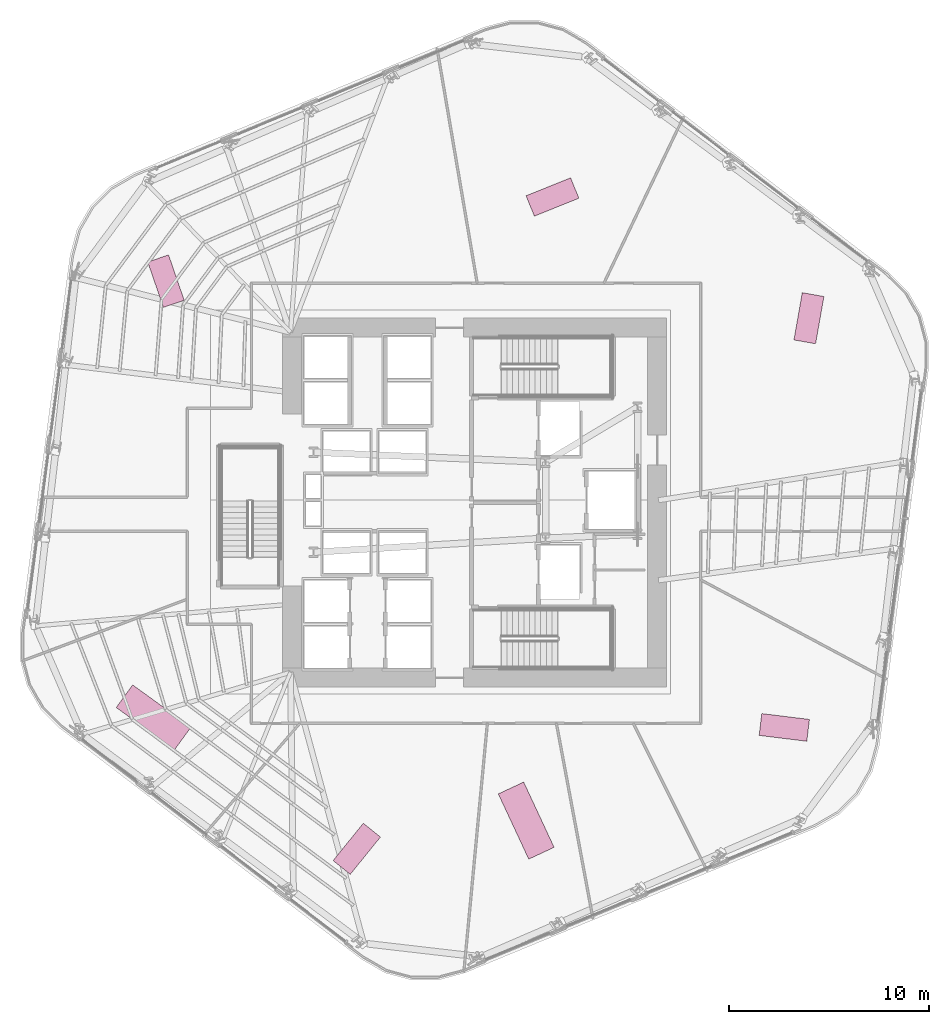
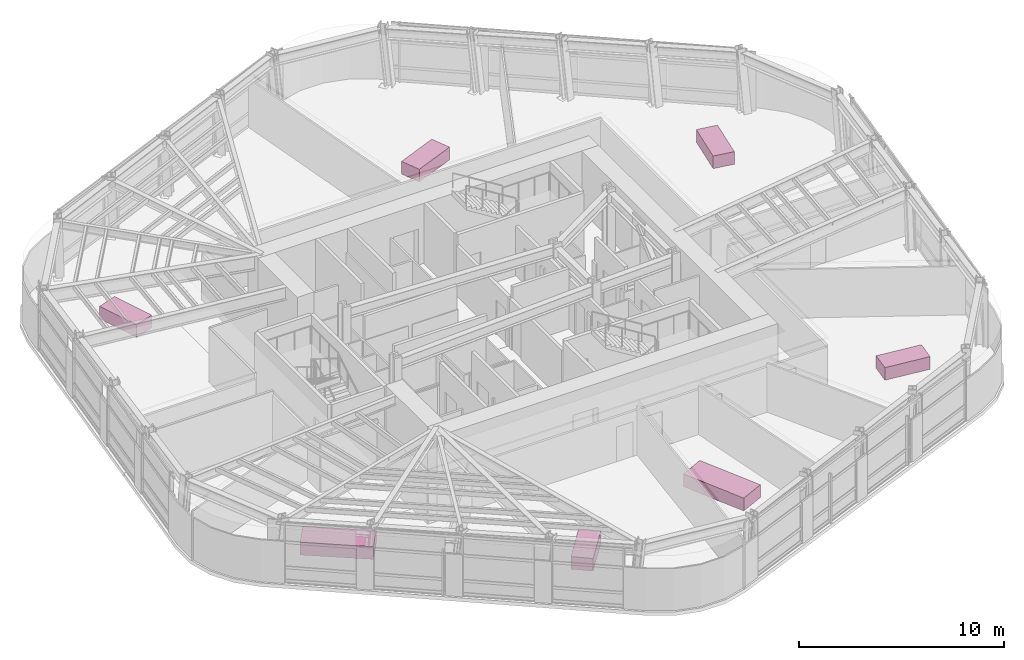
# One storey, part 18 of 18: 7 furniture elements.
"""IFC4 building model written with IfcOpenShell, lengths in metres."""

import ifcopenshell
import ifcopenshell.guid

model = None  # the IFC model being written
_history = None  # IfcOwnerHistory: only IFC2X3 demands one
_inside = {}  # id of a spatial element -> (the spatial element, [elements in it])
_under = {}  # id of a project, library or spatial element -> (it, [spatial elements below it])
_declared = {}  # id of a project -> (the project, [libraries it declares])
_typed = {}  # id of a type object -> (the type object, [elements of that type])
_made_of = {}  # id of a material, layer set ... -> (it, [elements and type objects made of it])


def new_model(schema):
    """Start an empty IFC model of exactly this schema.

    Asked for "IFC4X3", IfcOpenShell would pick the latest addendum, in which some entities
    have other attributes; the version numbers below select the first issue.
    IFC2X3 requires an IfcOwnerHistory on every rooted entity: one is made here for all.
    """
    global model, _history
    if schema == "IFC4X3":
        model = ifcopenshell.file(schema_version=(4, 3, 0, 0))
    else:
        model = ifcopenshell.file(schema=schema)
    _inside.clear()
    _under.clear()
    _declared.clear()
    _typed.clear()
    _made_of.clear()
    _history = None
    if model.schema == "IFC2X3":
        org = make("IfcOrganization", Name="unknown")
        user = make(
            "IfcPersonAndOrganization",
            ThePerson=make("IfcPerson", FamilyName="unknown"),
            TheOrganization=org,
        )
        app = make(
            "IfcApplication",
            ApplicationDeveloper=org,
            Version="unknown",
            ApplicationFullName="unknown",
            ApplicationIdentifier="unknown",
        )
        _history = make(
            "IfcOwnerHistory",
            OwningUser=user,
            OwningApplication=app,
            ChangeAction="ADDED",
            CreationDate=0,
        )
    return model


def make(cls, **values):
    """One entity of the class cls with the attributes given. An attribute that is None is left unset."""
    return model.create_entity(
        cls, **{name: value for name, value in values.items() if value is not None}
    )


def rooted(cls, **values):
    """An entity with a GlobalId (a new one), such as an element, a storey or a relation."""
    return make(cls, GlobalId=ifcopenshell.guid.new(), OwnerHistory=_history, **values)


def si_unit(unit_type, name, prefix=None):
    """IfcSIUnit, for example si_unit("LENGTHUNIT", "METRE", prefix="MILLI")."""
    return make("IfcSIUnit", UnitType=unit_type, Prefix=prefix, Name=name)


def assignment(units):
    """IfcUnitAssignment: the units of a project."""
    return None if units is None else make("IfcUnitAssignment", Units=units)


def point(xyz):
    """IfcCartesianPoint."""
    return None if xyz is None else make("IfcCartesianPoint", Coordinates=xyz)


def direction(xyz):
    """IfcDirection."""
    return None if xyz is None else make("IfcDirection", DirectionRatios=xyz)


def frame(location, z_axis=None, x_axis=None):
    """IfcAxis2Placement3D, a coordinate frame: its origin and axes. An axis left out is left unset."""
    return make(
        "IfcAxis2Placement3D",
        Location=point(location),
        Axis=direction(z_axis),
        RefDirection=direction(x_axis),
    )


def frame_2d(location, x_axis=None):
    """IfcAxis2Placement2D, a coordinate frame in the plane: its origin and x axis."""
    return make(
        "IfcAxis2Placement2D", Location=point(location), RefDirection=direction(x_axis)
    )


def origin():
    """The frame at (0, 0, 0) with its axes left unset."""
    return frame((0.0, 0.0, 0.0))


def origin_2d():
    """The frame at (0, 0) in the plane with its x axis left unset."""
    return frame_2d((0.0, 0.0))


def place(relative_to, where):
    """IfcLocalPlacement: puts the frame where relative to a parent placement (None: the world)."""
    return make(
        "IfcLocalPlacement", PlacementRelTo=relative_to, RelativePlacement=where
    )


def context(
    kind, dimensions, precision=None, world=None, true_north=None, identifier=None
):
    """IfcGeometricRepresentationContext, for example the 3D "Model" context."""
    return make(
        "IfcGeometricRepresentationContext",
        ContextIdentifier=identifier,
        ContextType=kind,
        CoordinateSpaceDimension=dimensions,
        Precision=precision,
        WorldCoordinateSystem=world,
        TrueNorth=true_north,
    )


def subcontext(parent, identifier, kind, view, scale=None):
    """IfcGeometricRepresentationSubContext, for example "Body" below "Model"."""
    return make(
        "IfcGeometricRepresentationSubContext",
        ContextIdentifier=identifier,
        ContextType=kind,
        ParentContext=parent,
        TargetScale=scale,
        TargetView=view,
    )


def project(units=None, contexts=None):
    """IfcProject with its units and contexts."""
    return rooted(
        "IfcProject",
        Name="project",
        RepresentationContexts=contexts,
        UnitsInContext=assignment(units),
    )


def spatial(cls, under=None, at=None, **own):
    """A site, building, storey or space (cls), placed at a placement, below another one or the project."""
    s = rooted(cls, ObjectPlacement=at, **own)
    if under is not None:
        _under.setdefault(under.id(), (under, []))[1].append(s)
    return s


def profile(cls, at=None, kind="AREA", **sizes):
    """A parametric profile (cls). Its sizes go by their IFC names, for example OverallWidth=200.0."""
    return make(cls, ProfileType=kind, Position=at, **sizes)


def rectangle(**sizes):
    """IfcRectangleProfileDef."""
    return profile("IfcRectangleProfileDef", **sizes)


def extrude(swept, where, along, depth):
    """IfcExtrudedAreaSolid: the profile swept, set in the frame where, extruded along a direction by depth."""
    return make(
        "IfcExtrudedAreaSolid",
        SweptArea=swept,
        Position=where,
        ExtrudedDirection=direction(along),
        Depth=depth,
    )


def shape(context_of_items, identifier, shape_type, items):
    """IfcShapeRepresentation: the items that make up one representation, for example the "Body"."""
    return make(
        "IfcShapeRepresentation",
        ContextOfItems=context_of_items,
        RepresentationIdentifier=identifier,
        RepresentationType=shape_type,
        Items=items,
    )


def material(Name=None, Category=None):
    """IfcMaterial."""
    return make("IfcMaterial", Name=Name, Category=Category)


def made_of(thing, what):
    """Note that an element or type object is made of a material, layer set ...; save() writes the relation."""
    if what is not None:
        _made_of.setdefault(what.id(), (what, []))[1].append(thing)
    return thing


def type_object(cls, material=None, **own):
    """A type object (cls), such as IfcWallType, which elements share."""
    return made_of(rooted(cls, **own), material)


def element(
    cls,
    number,
    at=None,
    inside=None,
    cuts=None,
    type_object=None,
    material=None,
    context=None,
    identifier="Body",
    shape_type=None,
    held_by="IfcProductDefinitionShape",
    body=None,
    shapes=None,
    **own,
):
    """One element of the class cls, such as IfcWall. Its Tag is "e" and its number.

    at: its placement. inside: the storey or other place that contains it. cuts: it is an
    opening in that element (IfcRelVoidsElement). A single representation is given by context,
    identifier, shape_type and body (its items); several are given by shapes. held_by: the class
    of the entity that holds the representations. save() writes the other relations.
    """
    e = rooted(cls, Tag="e%d" % number, ObjectPlacement=at, **own)
    if body is not None:
        shapes = [shape(context, identifier, shape_type, body)]
    if shapes is not None:
        e.Representation = make(held_by, Representations=shapes)
    if inside is not None:
        _inside.setdefault(inside.id(), (inside, []))[1].append(e)
    if cuts is not None:
        rooted(
            "IfcRelVoidsElement", RelatingBuildingElement=cuts, RelatedOpeningElement=e
        )
    if type_object is not None:
        _typed.setdefault(type_object.id(), (type_object, []))[1].append(e)
    return made_of(e, material)


def aggregate(whole, parts):
    """IfcRelAggregates: a whole, such as a stair, and the parts it consists of."""
    return rooted("IfcRelAggregates", RelatingObject=whole, RelatedObjects=parts)


def save(model, path):
    """Write the relations noted so far, then the file.

    IfcRelAggregates (storeys below a building ...), IfcRelContainedInSpatialStructure (elements
    in a storey), IfcRelDefinesByType, IfcRelAssociatesMaterial and IfcRelDeclares: one each for
    every whole, place, type object, material and project.
    """
    for whole, parts in _under.values():
        aggregate(whole, parts)
    for where, things in _inside.values():
        rooted(
            "IfcRelContainedInSpatialStructure",
            RelatedElements=things,
            RelatingStructure=where,
        )
    for kind, things in _typed.values():
        rooted("IfcRelDefinesByType", RelatedObjects=things, RelatingType=kind)
    for what, things in _made_of.values():
        rooted("IfcRelAssociatesMaterial", RelatedObjects=things, RelatingMaterial=what)
    for by, libraries in _declared.values():
        rooted("IfcRelDeclares", RelatingContext=by, RelatedDefinitions=libraries)
    model.write(path)


model = new_model("IFC4")

# Units and contexts
model_context = context("Model", 3, precision=1e-05, world=origin(), true_north=direction((0.0, 1.0)))
body_context = subcontext(model_context, "Body", "Model", "MODEL_VIEW")
ifc_project = project(units=[si_unit("LENGTHUNIT", "METRE"), si_unit("AREAUNIT", "SQUARE_METRE"), si_unit("VOLUMEUNIT", "CUBIC_METRE"), si_unit("PLANEANGLEUNIT", "RADIAN"), si_unit("MASSUNIT", "GRAM", prefix="KILO")], contexts=[model_context])

# Site, building, storey
site_placement = place(None, origin())
site = spatial("IfcSite", under=ifc_project, at=site_placement, CompositionType="ELEMENT")
building_placement = place(site_placement, origin())
building = spatial("IfcBuilding", under=site, at=building_placement, Name="Valkerne Bourse Tower", CompositionType="ELEMENT")
storey_placement = place(building_placement, frame((0.0, 0.0, 120.0)))
storey = spatial("IfcBuildingStorey", under=building, at=storey_placement, Name="L30", CompositionType="ELEMENT", Elevation=120.0)

# Furniture
ifc_material = material(Name="Architectural White Oak Timber", Category="wood")
furniture_type_1 = type_object("IfcFurnitureType", Name="FURN-CONF-3600", AssemblyPlace="NOTDEFINED", PredefinedType="TABLE", material=ifc_material)
for number, where, z_axis, x_axis, name in (
    (1, (49.384033203125, 10.98095703125, 0.044921875), (0.0, 0.0, 1.0), (-0.422618261741, 0.906307787037, 0.0), "L30 Suite Worktable 05"),
    (2, (30.751953125, 16.14306640625, 0.044921875), (0.0, 0.0, 1.0), (-0.809016994375, 0.587785252292, 0.0), "L30 Suite Worktable 06"),
):
    element("IfcFurniture", number, at=place(storey_placement, frame(where, z_axis=z_axis, x_axis=x_axis)), inside=storey, type_object=furniture_type_1, Name=name, PredefinedType="TABLE", context=body_context, shape_type="SweptSolid", body=[
        extrude(rectangle(XDim=3.60009765625, YDim=1.39990234375, at=origin_2d()), origin(), (0.0, 0.0, 1.0), 0.760009765625),
    ])
furniture_type_2 = type_object("IfcFurnitureType", Name="FURN-DESK-2400", AssemblyPlace="NOTDEFINED", PredefinedType="DESK", material=ifc_material)
for number, where, z_axis, x_axis, name in (
    (3, (62.2880859375, 15.639892578125, 0.044921875), (0.0, 0.0, 1.0), (-0.992546151641, 0.121869343405, 0.0), "L30 Suite Worktable 07"),
    (4, (50.697998046875, 42.162109375, 0.044921875), (0.0, 0.0, 1.0), (0.927183854567, 0.374606593416, 0.0), "L30 Suite Worktable 08"),
    (5, (40.912109375, 9.571044921875, 0.044921875), (0.0, 0.0, 1.0), (0.62932039105, 0.777145961457, 0.0), "L30 Suite Worktable 09"),
    (6, (63.52001953125, 36.10009765625, 0.044921875), (0.0, 0.0, 1.0), (0.173648177667, 0.984807753012, 0.0), "L30 Suite Worktable 10"),
    (7, (31.3720703125, 37.955078125, 0.044921875), (0.0, 0.0, 1.0), (-0.325568154457, 0.945518575599, 0.0), "L30 Suite Worktable 11"),
):
    element("IfcFurniture", number, at=place(storey_placement, frame(where, z_axis=z_axis, x_axis=x_axis)), inside=storey, type_object=furniture_type_2, Name=name, PredefinedType="DESK", context=body_context, shape_type="SweptSolid", body=[
        extrude(rectangle(XDim=2.39990234375, YDim=1.10009765625, at=origin_2d()), origin(), (0.0, 0.0, 1.0), 0.75),
    ])

save(model, "model.ifc")
